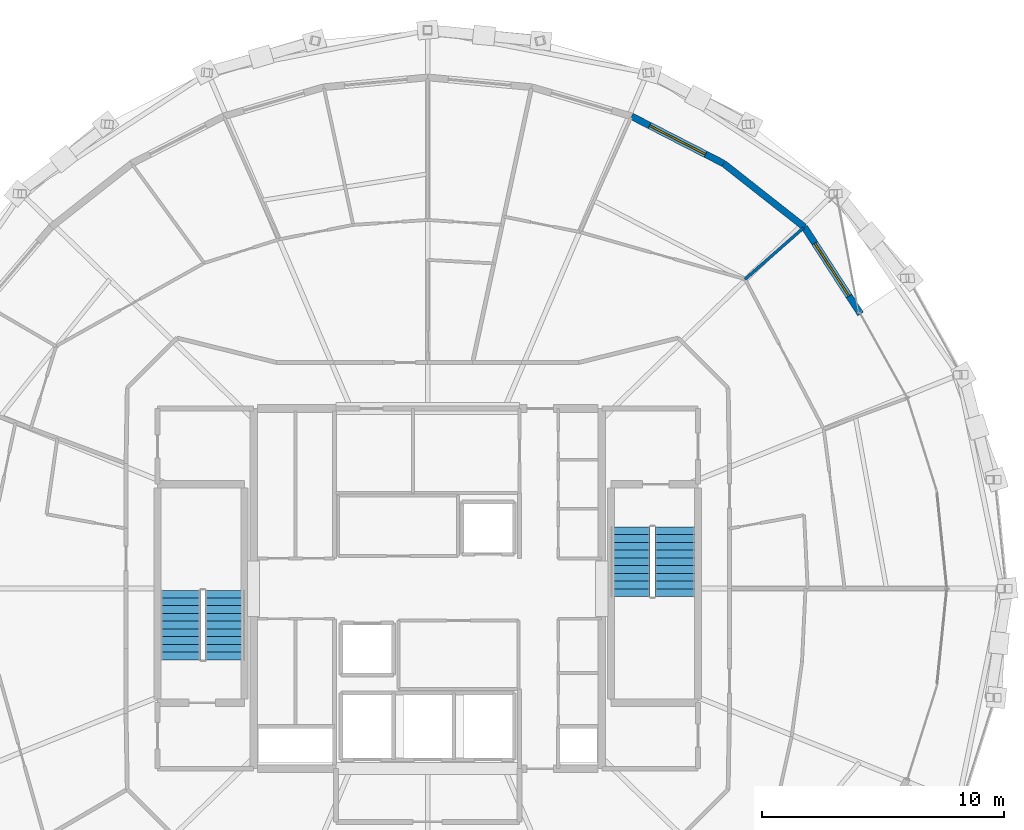
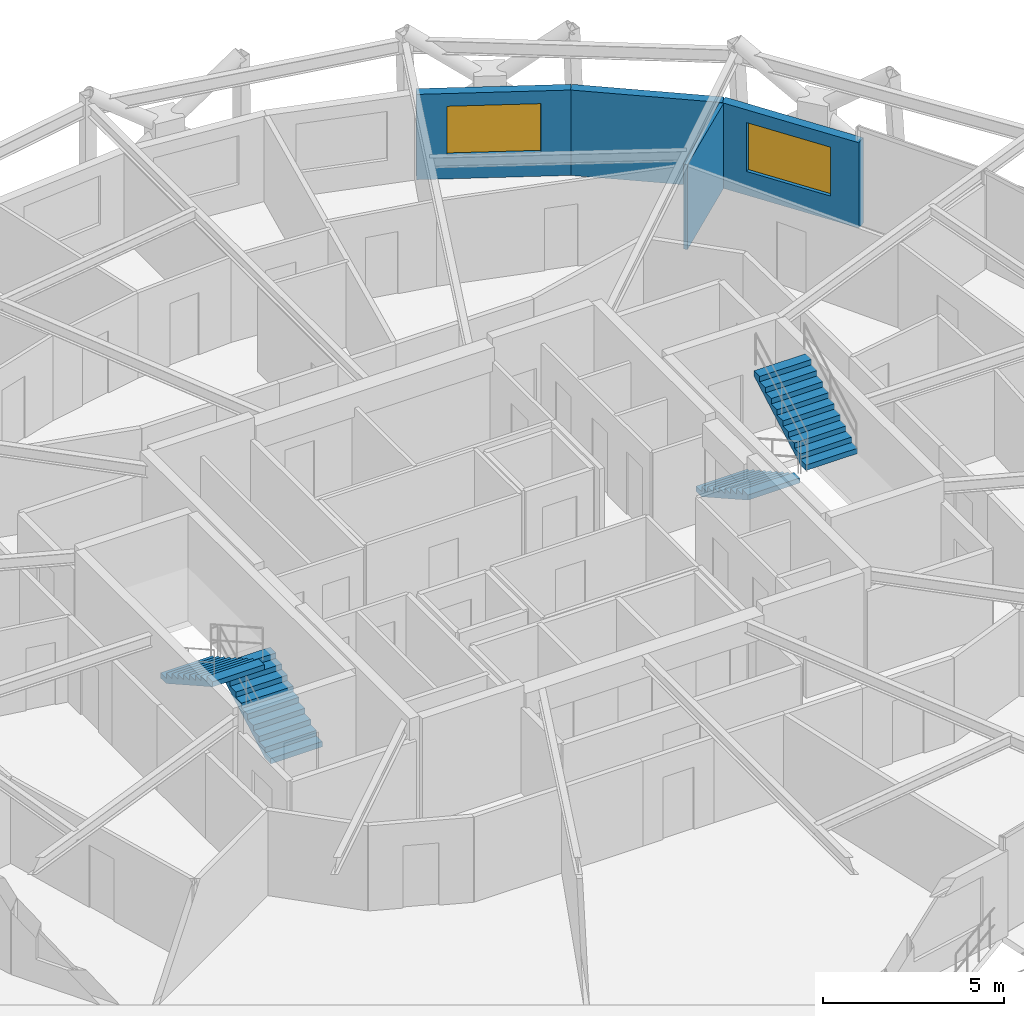
# One storey, part 16 of 17: 4 stair flights, 4 walls, 2 windows, 2 openings, 2 elements without a shape of their own.
"""IFC4 building model written with IfcOpenShell, lengths in metres."""

from ifc_helpers import new_model, si_unit, direction, frame, frame_2d, origin, place, context, subcontext, project, spatial, polyline, rectangle, outline, extrude, material, layer, layer_set, type_object, element, fill, aggregate, save


model = new_model("IFC4")

# Units and contexts
model_context = context("Model", 3, precision=1e-05, world=origin(), true_north=direction((0.0, 1.0)))
body_context = subcontext(model_context, "Body", "Model", "MODEL_VIEW")
ifc_project = project(units=[si_unit("LENGTHUNIT", "METRE"), si_unit("AREAUNIT", "SQUARE_METRE"), si_unit("VOLUMEUNIT", "CUBIC_METRE"), si_unit("PLANEANGLEUNIT", "RADIAN"), si_unit("MASSUNIT", "GRAM", prefix="KILO")], contexts=[model_context])

# Site, building, storey
site_placement = place(None, origin())
site = spatial("IfcSite", under=ifc_project, at=site_placement, CompositionType="ELEMENT")
building_placement = place(site_placement, origin())
building = spatial("IfcBuilding", under=site, at=building_placement, Name="Veldorina Hangang Commons", CompositionType="ELEMENT")
storey_placement = place(building_placement, frame((0.0, 0.0, 236.39990234375)))
storey = spatial("IfcBuildingStorey", under=building, at=storey_placement, Name="L61", CompositionType="ELEMENT", Elevation=236.39990234375)

# Wall, opening, window
ifc_material_1 = material(Name="Stone Roman Travertine", Category="masonry")
ifc_layer_1 = layer(ifc_material_1, 0.280029296875)
ifc_layer_set_1 = layer_set([ifc_layer_1], Name="Stone Roman Travertine")
wall_type_1 = type_object("IfcWallType", Name="EW-TRAV-280", PredefinedType="STANDARD", material=ifc_layer_set_1)
wall_1_placement = place(storey_placement, frame((49.906982421875, 35.35986328125, 0.0), z_axis=(0.0, 0.0, 1.0), x_axis=(-0.543286759964, 0.839547197273, 0.0)))
wall_1 = element("IfcWall", 1, at=wall_1_placement, inside=storey, type_object=wall_type_1, Name="L61 travertine facade wall 03", PredefinedType="STANDARD", context=body_context, shape_type="SweptSolid", body=[
    extrude(rectangle(XDim=4.279296875, YDim=0.280029296875, at=frame_2d((2.1396484375, 0.0))), origin(), (0.0, 0.0, 1.0), 2.880126953125),
])
opening_1_placement = place(wall_1_placement, frame((0.8857421875, 0.0, 0.800048828125)))
opening_1 = element("IfcOpeningElement", 2, at=opening_1_placement, cuts=wall_1, Name="Opening W-02", PredefinedType="OPENING", context=body_context, shape_type="SweptSolid", body=[
    extrude(rectangle(XDim=2.60009765625, YDim=1.64990234375, at=frame_2d((1.300048828125, 0.824951171875))), frame((0.0, 0.14990234375, 0.0), z_axis=(0.0, -1.0, 0.0), x_axis=(1.0, 0.0, 0.0)), (0.0, 0.0, 1.0), 0.300048828125),
])
ifc_material_2 = material(Name="Glass Low-E Triple IGU", Category="glass")
window_type = type_object("IfcWindowType", Name="WIN-TWR-2600", PartitioningType="SINGLE_PANEL", PredefinedType="WINDOW", material=ifc_material_2)
window_1_placement = place(opening_1_placement, origin())
window_1 = element("IfcWindow", 3, at=window_1_placement, inside=storey, type_object=window_type, Name="L61 facade window 03", OverallHeight=1.64990234375, OverallWidth=2.60009765625, PartitioningType="SINGLE_PANEL", PredefinedType="WINDOW", context=body_context, shape_type="SweptSolid", body=[
    extrude(rectangle(XDim=2.60009765625, YDim=1.64990234375, at=frame_2d((1.300048828125, 0.824951171875))), frame((0.0, 0.030029296875, 0.0), z_axis=(0.0, -1.0, 0.0), x_axis=(1.0, 0.0, 0.0)), (0.0, 0.0, 1.0), 0.06005859375),
])
fill(opening_1, window_1)

# Wall
wall_2_placement = place(storey_placement, frame((47.58203125, 38.95263671875, 0.0), z_axis=(0.0, 0.0, 1.0), x_axis=(-0.78564818009, 0.618673530322, 0.0)))
element("IfcWall", 4, at=wall_2_placement, inside=storey, type_object=wall_type_1, Name="L61 travertine facade wall 04", PredefinedType="STANDARD", context=body_context, shape_type="SweptSolid", body=[
    extrude(rectangle(XDim=4.25048828125, YDim=0.280029296875, at=frame_2d((2.125244140625, 0.0))), origin(), (0.0, 0.0, 1.0), 2.880126953125),
])

# Wall, opening, window
wall_3_placement = place(storey_placement, frame((44.24267578125, 41.582275390625, 0.0), z_axis=(0.0, 0.0, 1.0), x_axis=(-0.889784216581, 0.456381471933, 0.0)))
wall_3 = element("IfcWall", 5, at=wall_3_placement, inside=storey, type_object=wall_type_1, Name="L61 travertine facade wall 05", PredefinedType="STANDARD", context=body_context, shape_type="SweptSolid", body=[
    extrude(rectangle(XDim=4.28173828125, YDim=0.280029296875, at=frame_2d((2.140869140625, 0.0))), origin(), (0.0, 0.0, 1.0), 2.880126953125),
])
opening_2_placement = place(wall_3_placement, frame((0.8408203125, 0.0, 0.800048828125)))
opening_2 = element("IfcOpeningElement", 6, at=opening_2_placement, cuts=wall_3, Name="Opening W-02", PredefinedType="OPENING", context=body_context, shape_type="SweptSolid", body=[
    extrude(rectangle(XDim=2.60009765625, YDim=1.64990234375, at=frame_2d((1.300048828125, 0.824951171875))), frame((0.0, 0.14990234375, 0.0), z_axis=(0.0, -1.0, 0.0), x_axis=(1.0, 0.0, 0.0)), (0.0, 0.0, 1.0), 0.300048828125),
])
window_2_placement = place(opening_2_placement, origin())
window_2 = element("IfcWindow", 7, at=window_2_placement, inside=storey, type_object=window_type, Name="L61 facade window 05", OverallHeight=1.64990234375, OverallWidth=2.60009765625, PartitioningType="SINGLE_PANEL", PredefinedType="WINDOW", context=body_context, shape_type="SweptSolid", body=[
    extrude(rectangle(XDim=2.60009765625, YDim=1.64990234375, at=frame_2d((1.300048828125, 0.824951171875))), frame((0.0, 0.030029296875, 0.0), z_axis=(0.0, -1.0, 0.0), x_axis=(1.0, 0.0, 0.0)), (0.0, 0.0, 1.0), 0.06005859375),
])
fill(opening_2, window_2)

# Wall
ifc_material_3 = material(Name="Gypsum Acoustic Stud Partition", Category="gypsum")
ifc_layer_2 = layer(ifc_material_3, 0.1201171875)
ifc_layer_set_2 = layer_set([ifc_layer_2], Name="Gypsum Acoustic Stud Partition")
wall_type_2 = type_object("IfcWallType", Name="WL-PART-120", PredefinedType="PARTITIONING", material=ifc_layer_set_2)
wall_4_placement = place(storey_placement, frame((45.1298828125, 36.79638671875, 0.0), z_axis=(0.0, 0.0, 1.0), x_axis=(0.750946942574, 0.66036254394, 0.0)))
element("IfcWall", 8, at=wall_4_placement, inside=storey, type_object=wall_type_2, Name="L61 Cluster 2 bed divider 2 100", PredefinedType="PARTITIONING", context=body_context, shape_type="SweptSolid", body=[
    extrude(rectangle(XDim=3.21533203125, YDim=0.1201171875, at=frame_2d((1.607666015625, 0.0))), origin(), (0.0, 0.0, 1.0), 2.8701171875),
])

# Stair, stair flights
ifc_material_4 = material(Name="Concrete C40/50", Category="concrete")
stair_type = type_object("IfcStairType", Name="STR-DOG-1650-20R", PredefinedType="HALF_TURN_STAIR", material=ifc_material_4)
stair_1_placement = place(storey_placement, origin())
stair_1 = element("IfcStair", 9, at=stair_1_placement, inside=storey, type_object=stair_type, Name="L61 Exit stair ST-1", PredefinedType="HALF_TURN_STAIR")
stair_flight_type = type_object("IfcStairFlightType", Name="SFL-STR-1650-20R", PredefinedType="STRAIGHT", material=ifc_material_4)
stair_flight_1_placement = place(storey_placement, frame((23.625, 21.050048828125, 0.0), z_axis=(0.0, 0.0, 1.0), x_axis=(0.0, 1.0, 0.0)))
stair_flight_1 = element("IfcStairFlight", 10, at=stair_flight_1_placement, type_object=stair_flight_type, Name="ST-1 flight 1", NumberOfRisers=10, NumberOfTreads=9, PredefinedType="STRAIGHT", RiserHeight=0.18, TreadLength=0.32, context=body_context, shape_type="SweptSolid", body=[
    extrude(outline(polyline([(0.0, 0.0), (0.0, 0.179931640625), (0.320068359375, 0.179931640625), (0.320068359375, 0.360107421875), (0.639892578125, 0.360107421875), (0.639892578125, 0.5400390625), (0.9599609375, 0.5400390625), (0.9599609375, 0.719970703125), (1.280029296875, 0.719970703125), (1.280029296875, 0.89990234375), (1.60009765625, 0.89990234375), (1.60009765625, 1.080078125), (1.919921875, 1.080078125), (1.919921875, 1.260009765625), (2.239990234375, 1.260009765625), (2.239990234375, 1.43994140625), (2.56005859375, 1.43994140625), (2.56005859375, 1.6201171875), (2.8798828125, 1.6201171875), (2.8798828125, 1.800048828125), (2.8798828125, 1.447998046875), (0.3056640625, 0.0), (0.0, 0.0)])), frame((0.0, 0.824951171875, 0.0), z_axis=(0.0, -1.0, 0.0), x_axis=(1.0, 0.0, 0.0)), (0.0, 0.0, 1.0), 1.64990234375),
])
stair_flight_2_placement = place(storey_placement, frame((21.77490234375, 23.929931640625, 1.800048828125), z_axis=(0.0, 0.0, 1.0), x_axis=(0.0, -1.0, 0.0)))
stair_flight_2 = element("IfcStairFlight", 11, at=stair_flight_2_placement, type_object=stair_flight_type, Name="ST-1 flight 2", NumberOfRisers=10, NumberOfTreads=9, PredefinedType="STRAIGHT", RiserHeight=0.18, TreadLength=0.32, context=body_context, shape_type="SweptSolid", body=[
    extrude(outline(polyline([(0.0, 0.0), (0.0, 0.179931640625), (0.320068359375, 0.179931640625), (0.320068359375, 0.360107421875), (0.639892578125, 0.360107421875), (0.639892578125, 0.5400390625), (0.9599609375, 0.5400390625), (0.9599609375, 0.719970703125), (1.280029296875, 0.719970703125), (1.280029296875, 0.89990234375), (1.60009765625, 0.89990234375), (1.60009765625, 1.080078125), (1.919921875, 1.080078125), (1.919921875, 1.260009765625), (2.239990234375, 1.260009765625), (2.239990234375, 1.43994140625), (2.56005859375, 1.43994140625), (2.56005859375, 1.6201171875), (2.8798828125, 1.6201171875), (2.8798828125, 1.800048828125), (2.8798828125, 1.447998046875), (0.3056640625, 0.0), (0.0, 0.0)])), frame((0.0, 0.824951171875, 0.0), z_axis=(0.0, -1.0, 0.0), x_axis=(1.0, 0.0, 0.0)), (0.0, 0.0, 1.0), 1.64990234375),
])
aggregate(stair_1, [stair_flight_1, stair_flight_2])

stair_2_placement = place(storey_placement, origin())
stair_2 = element("IfcStair", 12, at=stair_2_placement, inside=storey, type_object=stair_type, Name="L61 Exit stair ST-2", PredefinedType="HALF_TURN_STAIR")
stair_flight_3_placement = place(storey_placement, frame((40.375, 26.550048828125, 0.0), z_axis=(0.0, 0.0, 1.0), x_axis=(0.0, -1.0, 0.0)))
stair_flight_3 = element("IfcStairFlight", 13, at=stair_flight_3_placement, type_object=stair_flight_type, Name="ST-2 flight 1", NumberOfRisers=10, NumberOfTreads=9, PredefinedType="STRAIGHT", RiserHeight=0.18, TreadLength=0.32, context=body_context, shape_type="SweptSolid", body=[
    extrude(outline(polyline([(0.0, 0.0), (0.0, 0.179931640625), (0.320068359375, 0.179931640625), (0.320068359375, 0.360107421875), (0.639892578125, 0.360107421875), (0.639892578125, 0.5400390625), (0.9599609375, 0.5400390625), (0.9599609375, 0.719970703125), (1.280029296875, 0.719970703125), (1.280029296875, 0.89990234375), (1.60009765625, 0.89990234375), (1.60009765625, 1.080078125), (1.919921875, 1.080078125), (1.919921875, 1.260009765625), (2.239990234375, 1.260009765625), (2.239990234375, 1.43994140625), (2.56005859375, 1.43994140625), (2.56005859375, 1.6201171875), (2.8798828125, 1.6201171875), (2.8798828125, 1.800048828125), (2.8798828125, 1.447998046875), (0.3056640625, 0.0), (0.0, 0.0)])), frame((0.0, 0.824951171875, 0.0), z_axis=(0.0, -1.0, 0.0), x_axis=(1.0, 0.0, 0.0)), (0.0, 0.0, 1.0), 1.64990234375),
])
stair_flight_4_placement = place(storey_placement, frame((42.22509765625, 23.669921875, 1.800048828125), z_axis=(0.0, 0.0, 1.0), x_axis=(0.0, 1.0, 0.0)))
stair_flight_4 = element("IfcStairFlight", 14, at=stair_flight_4_placement, type_object=stair_flight_type, Name="ST-2 flight 2", NumberOfRisers=10, NumberOfTreads=9, PredefinedType="STRAIGHT", RiserHeight=0.18, TreadLength=0.32, context=body_context, shape_type="SweptSolid", body=[
    extrude(outline(polyline([(0.0, 0.0), (0.0, 0.179931640625), (0.320068359375, 0.179931640625), (0.320068359375, 0.360107421875), (0.639892578125, 0.360107421875), (0.639892578125, 0.5400390625), (0.9599609375, 0.5400390625), (0.9599609375, 0.719970703125), (1.280029296875, 0.719970703125), (1.280029296875, 0.89990234375), (1.60009765625, 0.89990234375), (1.60009765625, 1.080078125), (1.919921875, 1.080078125), (1.919921875, 1.260009765625), (2.239990234375, 1.260009765625), (2.239990234375, 1.43994140625), (2.56005859375, 1.43994140625), (2.56005859375, 1.6201171875), (2.8798828125, 1.6201171875), (2.8798828125, 1.800048828125), (2.8798828125, 1.447998046875), (0.3056640625, 0.0), (0.0, 0.0)])), frame((0.0, 0.824951171875, 0.0), z_axis=(0.0, -1.0, 0.0), x_axis=(1.0, 0.0, 0.0)), (0.0, 0.0, 1.0), 1.64990234375),
])
aggregate(stair_2, [stair_flight_3, stair_flight_4])

save(model, "model.ifc")
